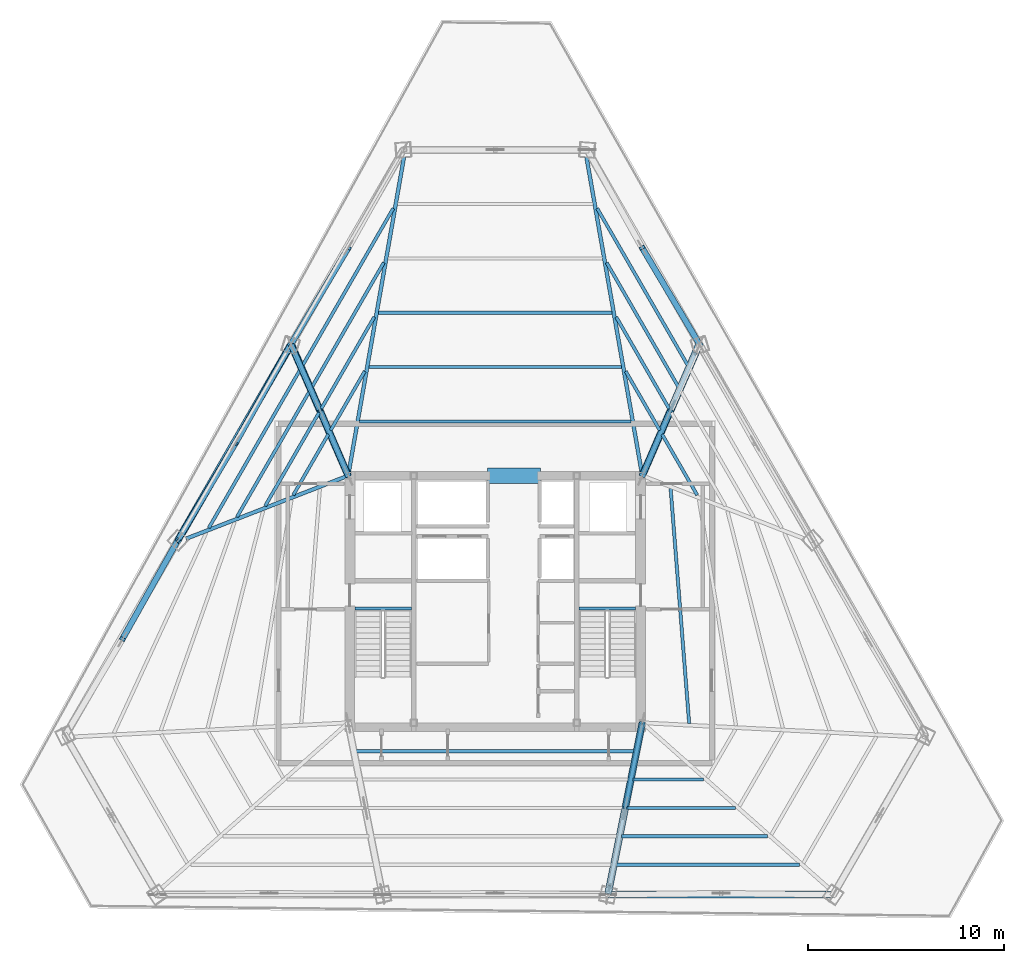
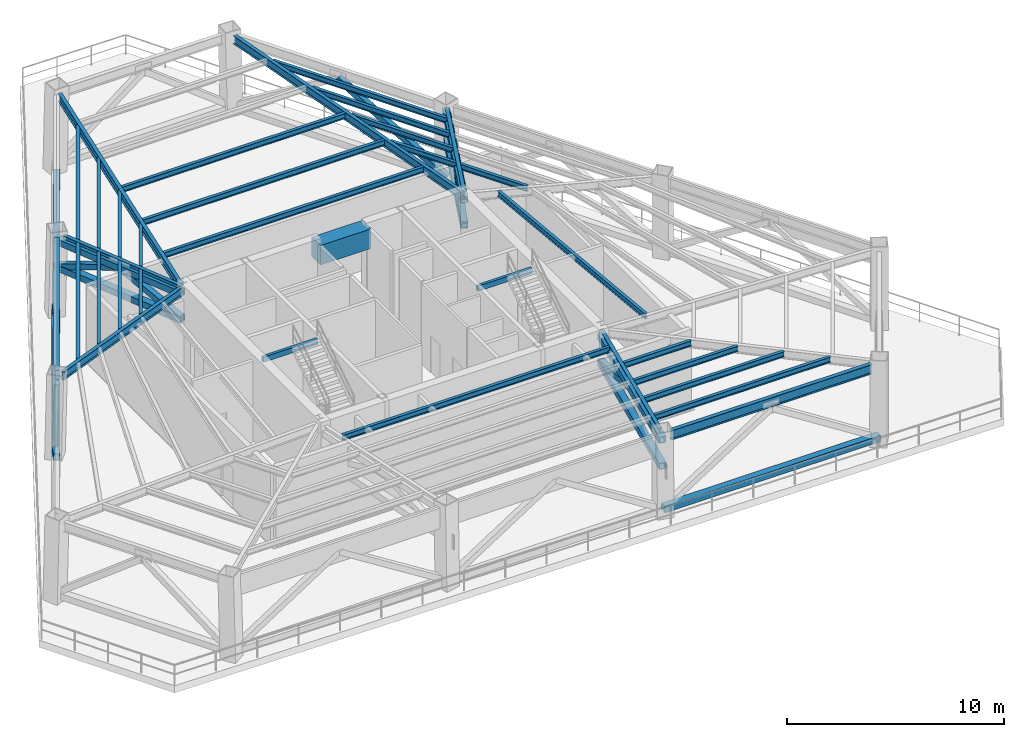
# One storey, part 3 of 10: 33 beams, 18 members.
"""IFC4 building model written with IfcOpenShell, lengths in metres."""

from ifc_helpers import new_model, si_unit, direction, frame, origin, origin_2d, place, context, subcontext, project, spatial, rectangle, hollow_rectangle, i_section, extrude, source, transform, mapped, material, material_profile, profile_set, type_object, type_shapes, element, save


model = new_model("IFC4")

# Units and contexts
model_context = context("Model", 3, precision=1e-05, world=origin(), true_north=direction((0.0, 1.0)))
body_context = subcontext(model_context, "Body", "Model", "MODEL_VIEW")
ifc_project = project(units=[si_unit("LENGTHUNIT", "METRE"), si_unit("AREAUNIT", "SQUARE_METRE"), si_unit("VOLUMEUNIT", "CUBIC_METRE"), si_unit("PLANEANGLEUNIT", "RADIAN"), si_unit("MASSUNIT", "GRAM", prefix="KILO")], contexts=[model_context])

# Site, building, storey
site_placement = place(None, origin())
site = spatial("IfcSite", under=ifc_project, at=site_placement, CompositionType="ELEMENT")
building_placement = place(site_placement, origin())
building = spatial("IfcBuilding", under=site, at=building_placement, Name="Caelisora Broadcast Tower", CompositionType="ELEMENT")
storey_placement = place(building_placement, frame((0.0, 0.0, 220.550048828125)))
storey = spatial("IfcBuildingStorey", under=building, at=storey_placement, Name="L58", CompositionType="ELEMENT", Elevation=220.550048828125)

# Beams
ifc_material_1 = material(Name="Steel Grade 350 (AS/NZS 1163 C350L0)", Category="steel")
ifc_material_profile_1 = material_profile(ifc_material_1, hollow_rectangle(XDim=0.14990234375, YDim=0.300048828125, WallThickness=0.010009765625, at=origin_2d()), Name="Steel Grade 350 (AS/NZS 1163 C350L0)")
ifc_profile_set_1 = profile_set([ifc_material_profile_1], Name="Steel Grade 350 (AS/NZS 1163 C350L0)")
beam_type_1 = type_object("IfcBeamType", Name="SB05", PredefinedType="JOIST", material=ifc_profile_set_1)
shared_shape_1 = source(origin(), body_context, "Body", "SweptSolid", [
    extrude(hollow_rectangle(XDim=0.14990234375, YDim=0.300048828125, WallThickness=0.010009765625, at=origin_2d()), origin(), (0.0, 0.0, 1.0), 2.89990234375),
])
type_shapes(beam_type_1, [shared_shape_1])
for number, where, z_axis, x_axis, name in (
    (1, (30.840087890625, 23.219970703125, 4.39990234375), (1.0, 0.0, 0.0), (0.0, 1.0, 0.0), "L58 beam SB05"),
    (2, (42.260009765625, 23.219970703125, 4.39990234375), (1.0, 0.0, 0.0), (0.0, 1.0, 0.0), "L58 beam SB05"),
):
    element("IfcBeam", number, at=place(storey_placement, frame(where, z_axis=z_axis, x_axis=x_axis)), inside=storey, type_object=beam_type_1, Name=name, PredefinedType="JOIST", context=body_context, shape_type="MappedRepresentation", body=[
        mapped(shared_shape_1, transform((0.0, 0.0, 0.0), scale=1.0)),
    ])
ifc_material_2 = material(Name="Concrete 65 MPa (AS 3600 S65)", Category="concrete")
ifc_material_profile_2 = material_profile(ifc_material_2, rectangle(XDim=0.800048828125, YDim=1.10009765625, at=origin_2d()), Name="Concrete 65 MPa (AS 3600 S65)")
ifc_profile_set_2 = profile_set([ifc_material_profile_2], Name="Concrete 65 MPa (AS 3600 S65)")
beam_type_2 = type_object("IfcBeamType", Name="CB01", PredefinedType="LINTEL", material=ifc_profile_set_2)
shared_shape_2 = source(origin(), body_context, "Body", "SweptSolid", [
    extrude(rectangle(XDim=0.800048828125, YDim=1.10009765625, at=origin_2d()), origin(), (0.0, 0.0, 1.0), 2.699951171875),
])
type_shapes(beam_type_2, [shared_shape_2])
beam_1_placement = place(storey_placement, frame((37.60009765625, 30.0, 4.0), z_axis=(1.0, 0.0, 0.0), x_axis=(0.0, 1.0, 0.0)))
element("IfcBeam", 3, at=beam_1_placement, inside=storey, type_object=beam_type_2, Name="L58 beam CB01", PredefinedType="LINTEL", context=body_context, shape_type="MappedRepresentation", body=[
    mapped(shared_shape_2, transform((0.0, 0.0, 0.0), scale=1.0)),
])

# Member
ifc_material_profile_3 = material_profile(ifc_material_1, hollow_rectangle(XDim=0.199951171875, YDim=0.199951171875, WallThickness=0.009033203125, at=origin_2d()), Name="Steel Grade 350 (AS/NZS 1163 C350L0)")
ifc_profile_set_3 = profile_set([ifc_material_profile_3], Name="Steel Grade 350 (AS/NZS 1163 C350L0)")
member_type_1 = type_object("IfcMemberType", Name="TR14", PredefinedType="POST", material=ifc_profile_set_3)
shared_shape_3 = source(origin(), body_context, "Body", "SweptSolid", [
    extrude(hollow_rectangle(XDim=0.199951171875, YDim=0.199951171875, WallThickness=0.009033203125, at=origin_2d()), origin(), (0.0, 0.0, 1.0), 3.620849609375),
])
type_shapes(member_type_1, [shared_shape_3])
member_1_placement = place(storey_placement, frame((21.8154296875, 26.710205078125, 0.349853515625), z_axis=(0.014901156431, -0.013822339676, 0.999793427895), x_axis=(0.680069277546, 0.733147855305, 0.0)))
element("IfcMember", 4, at=member_1_placement, inside=storey, type_object=member_type_1, Name="L58 transfer post TR14", PredefinedType="POST", context=body_context, shape_type="MappedRepresentation", body=[
    mapped(shared_shape_3, transform((0.0, 0.0, 0.0), scale=1.0)),
])

# Beams
ifc_material_3 = material(Name="Steel Grade 350 (AS/NZS 3679.1)", Category="steel")
ifc_material_profile_4 = material_profile(ifc_material_3, i_section(OverallWidth=0.208984375, OverallDepth=0.532958984375, WebThickness=0.01025390625, FlangeThickness=0.015625, at=origin_2d()), Name="Steel Grade 350 (AS/NZS 3679.1)")
ifc_profile_set_4 = profile_set([ifc_material_profile_4], Name="Steel Grade 350 (AS/NZS 3679.1)")
beam_type_3 = type_object("IfcBeamType", Name="PG05", PredefinedType="BEAM", material=ifc_profile_set_4)
shared_shape_4 = source(origin(), body_context, "Body", "SweptSolid", [
    extrude(i_section(OverallWidth=0.208984375, OverallDepth=0.532958984375, WebThickness=0.01025390625, FlangeThickness=0.015625, at=origin_2d()), origin(), (0.0, 0.0, 1.0), 10.698486328125),
])
type_shapes(beam_type_3, [shared_shape_4])
for number, where, z_axis, x_axis, name in (
    (5, (27.439208984375, 36.274169921875, 4.283447265625), (-0.5000095379, -0.866019897006, 0.0), (0.866019897006, -0.5000095379, 0.0), "L58 beam PG05"),
    (6, (44.18115234375, 8.716796875, 4.283447265625), (1.0, 0.0, 0.0), (0.0, 1.0, 0.0), "L58 beam PG05"),
):
    element("IfcBeam", number, at=place(storey_placement, frame(where, z_axis=z_axis, x_axis=x_axis)), inside=storey, type_object=beam_type_3, Name=name, PredefinedType="BEAM", context=body_context, shape_type="MappedRepresentation", body=[
        mapped(shared_shape_4, transform((0.0, 0.0, 0.0), scale=1.0)),
    ])
ifc_material_profile_5 = material_profile(ifc_material_3, i_section(OverallWidth=0.19091796875, OverallDepth=0.46044921875, WebThickness=0.010009765625, FlangeThickness=0.01611328125, at=origin_2d()), Name="Steel Grade 350 (AS/NZS 3679.1)")
ifc_profile_set_5 = profile_set([ifc_material_profile_5], Name="Steel Grade 350 (AS/NZS 3679.1)")
beam_type_4 = type_object("IfcBeamType", Name="PG06", PredefinedType="BEAM", material=ifc_profile_set_5)
shared_shape_5 = source(origin(), body_context, "Body", "SweptSolid", [
    extrude(i_section(OverallWidth=0.19091796875, OverallDepth=0.46044921875, WebThickness=0.010009765625, FlangeThickness=0.01611328125, at=origin_2d()), origin(), (0.0, 0.0, 1.0), 16.43701171875),
])
for number, where, z_axis, x_axis, name in (
    (7, (45.489501953125, 30.05908203125, 4.31982421875), (-0.172592179316, 0.984993370353, 0.0), (-0.984993370353, -0.172592179316, 0.0), "L58 beam PG06"),
    (8, (30.510498046875, 30.05908203125, 4.31982421875), (0.172592179316, 0.984993370353, 0.0), (-0.984993370353, 0.172592179316, 0.0), "L58 beam PG06"),
):
    element("IfcBeam", number, at=place(storey_placement, frame(where, z_axis=z_axis, x_axis=x_axis)), inside=storey, type_object=beam_type_4, Name=name, PredefinedType="BEAM", context=body_context, shape_type="MappedRepresentation", body=[
        mapped(shared_shape_5, transform((0.0, 0.0, 0.0), scale=1.0)),
    ])
shared_shape_6 = source(origin(), body_context, "Body", "SweptSolid", [
    extrude(i_section(OverallWidth=0.19091796875, OverallDepth=0.46044921875, WebThickness=0.010009765625, FlangeThickness=0.01611328125, at=origin_2d()), origin(), (0.0, 0.0, 1.0), 6.785888671875),
])
for number, where, z_axis, x_axis, name in (
    (9, (30.476318359375, 30.05517578125, 4.31982421875), (-0.395039288876, 0.918664226061, 0.0), (-0.918664226061, -0.395039288876, 0.0), "L58 beam PG06"),
    (10, (45.523681640625, 30.05517578125, 4.31982421875), (0.395039288876, 0.918664226061, 0.0), (-0.918664226061, 0.395039288876, 0.0), "L58 beam PG06"),
):
    element("IfcBeam", number, at=place(storey_placement, frame(where, z_axis=z_axis, x_axis=x_axis)), inside=storey, type_object=beam_type_4, Name=name, PredefinedType="BEAM", context=body_context, shape_type="MappedRepresentation", body=[
        mapped(shared_shape_6, transform((0.0, 0.0, 0.0), scale=1.0)),
    ])
shared_shape_7 = source(origin(), body_context, "Body", "SweptSolid", [
    extrude(i_section(OverallWidth=0.19091796875, OverallDepth=0.46044921875, WebThickness=0.010009765625, FlangeThickness=0.01611328125, at=origin_2d()), origin(), (0.0, 0.0, 1.0), 8.81103515625),
])
beam_2_placement = place(storey_placement, frame((30.444091796875, 29.978271484375, 4.31982421875), z_axis=(-0.932010911439, -0.362430215294, 0.0), x_axis=(0.362430215294, -0.932010911439, 0.0)))
element("IfcBeam", 11, at=beam_2_placement, inside=storey, type_object=beam_type_4, Name="L58 beam PG06", PredefinedType="BEAM", context=body_context, shape_type="MappedRepresentation", body=[
    mapped(shared_shape_7, transform((0.0, 0.0, 0.0), scale=1.0)),
])
shared_shape_8 = source(origin(), body_context, "Body", "SweptSolid", [
    extrude(i_section(OverallWidth=0.19091796875, OverallDepth=0.46044921875, WebThickness=0.010009765625, FlangeThickness=0.01611328125, at=origin_2d()), origin(), (0.0, 0.0, 1.0), 8.418701171875),
])
type_shapes(beam_type_4, [shared_shape_5, shared_shape_6, shared_shape_7, shared_shape_8])
beam_3_placement = place(storey_placement, frame((45.48828125, 17.34130859375, 4.31982421875), z_axis=(-0.195920941992, -0.980619694116, 0.0), x_axis=(0.980619694116, -0.195920941992, 0.0)))
element("IfcBeam", 12, at=beam_3_placement, inside=storey, type_object=beam_type_4, Name="L58 beam PG06", PredefinedType="BEAM", context=body_context, shape_type="MappedRepresentation", body=[
    mapped(shared_shape_8, transform((0.0, 0.0, 0.0), scale=1.0)),
])
ifc_material_profile_6 = material_profile(ifc_material_3, i_section(OverallWidth=0.166015625, OverallDepth=0.30712890625, WebThickness=0.006591796875, FlangeThickness=0.01171875, at=origin_2d()), Name="Steel Grade 350 (AS/NZS 3679.1)")
ifc_profile_set_6 = profile_set([ifc_material_profile_6], Name="Steel Grade 350 (AS/NZS 3679.1)")
beam_type_5 = type_object("IfcBeamType", Name="SB03", PredefinedType="JOIST", material=ifc_profile_set_6)
shared_shape_9 = source(origin(), body_context, "Body", "SweptSolid", [
    extrude(i_section(OverallWidth=0.166015625, OverallDepth=0.30712890625, WebThickness=0.006591796875, FlangeThickness=0.01171875, at=origin_2d()), origin(), (0.0, 0.0, 1.0), 13.84130859375),
])
beam_4_placement = place(storey_placement, frame((44.920654296875, 32.77001953125, 4.396240234375), z_axis=(-1.0, 0.0, 0.0), x_axis=(0.0, -1.0, 0.0)))
element("IfcBeam", 13, at=beam_4_placement, inside=storey, type_object=beam_type_5, Name="L58 beam SB03", PredefinedType="JOIST", context=body_context, shape_type="MappedRepresentation", body=[
    mapped(shared_shape_9, transform((0.0, 0.0, 0.0), scale=1.0)),
])
shared_shape_10 = source(origin(), body_context, "Body", "SweptSolid", [
    extrude(i_section(OverallWidth=0.166015625, OverallDepth=0.30712890625, WebThickness=0.006591796875, FlangeThickness=0.01171875, at=origin_2d()), origin(), (0.0, 0.0, 1.0), 12.87060546875),
])
beam_5_placement = place(storey_placement, frame((44.435302734375, 35.5400390625, 4.396240234375), z_axis=(-1.0, 0.0, 0.0), x_axis=(0.0, -1.0, 0.0)))
element("IfcBeam", 14, at=beam_5_placement, inside=storey, type_object=beam_type_5, Name="L58 beam SB03", PredefinedType="JOIST", context=body_context, shape_type="MappedRepresentation", body=[
    mapped(shared_shape_10, transform((0.0, 0.0, 0.0), scale=1.0)),
])
shared_shape_11 = source(origin(), body_context, "Body", "SweptSolid", [
    extrude(i_section(OverallWidth=0.166015625, OverallDepth=0.30712890625, WebThickness=0.006591796875, FlangeThickness=0.01171875, at=origin_2d()), origin(), (0.0, 0.0, 1.0), 11.8994140625),
])
beam_6_placement = place(storey_placement, frame((43.94970703125, 38.31005859375, 4.396240234375), z_axis=(-1.0, 0.0, 0.0), x_axis=(0.0, -1.0, 0.0)))
element("IfcBeam", 15, at=beam_6_placement, inside=storey, type_object=beam_type_5, Name="L58 beam SB03", PredefinedType="JOIST", context=body_context, shape_type="MappedRepresentation", body=[
    mapped(shared_shape_11, transform((0.0, 0.0, 0.0), scale=1.0)),
])
shared_shape_12 = source(origin(), body_context, "Body", "SweptSolid", [
    extrude(i_section(OverallWidth=0.166015625, OverallDepth=0.30712890625, WebThickness=0.006591796875, FlangeThickness=0.01171875, at=origin_2d()), origin(), (0.0, 0.0, 1.0), 3.47900390625),
])
for number, where, z_axis, x_axis, name in (
    (16, (31.3466796875, 35.324951171875, 4.396240234375), (-0.499995806763, -0.866027824738, 0.0), (0.866027824738, -0.499995806763, 0.0), "L58 beam SB03"),
    (17, (46.392822265625, 32.31201171875, 4.396240234375), (-0.499995806763, 0.866027824738, 0.0), (-0.866027824738, -0.499995806763, 0.0), "L58 beam SB03"),
):
    element("IfcBeam", number, at=place(storey_placement, frame(where, z_axis=z_axis, x_axis=x_axis)), inside=storey, type_object=beam_type_5, Name=name, PredefinedType="JOIST", context=body_context, shape_type="MappedRepresentation", body=[
        mapped(shared_shape_12, transform((0.0, 0.0, 0.0), scale=1.0)),
    ])
shared_shape_13 = source(origin(), body_context, "Body", "SweptSolid", [
    extrude(i_section(OverallWidth=0.166015625, OverallDepth=0.30712890625, WebThickness=0.006591796875, FlangeThickness=0.01171875, at=origin_2d()), origin(), (0.0, 0.0, 1.0), 5.40087890625),
])
for number, where, z_axis, x_axis, name in (
    (18, (31.83203125, 38.094970703125, 4.396240234375), (-0.500004188491, -0.866022985545, 0.0), (0.866022985545, -0.500004188491, 0.0), "L58 beam SB03"),
    (19, (46.868408203125, 33.417724609375, 4.396240234375), (-0.500004188491, 0.866022985545, 0.0), (-0.866022985545, -0.500004188491, 0.0), "L58 beam SB03"),
):
    element("IfcBeam", number, at=place(storey_placement, frame(where, z_axis=z_axis, x_axis=x_axis)), inside=storey, type_object=beam_type_5, Name=name, PredefinedType="JOIST", context=body_context, shape_type="MappedRepresentation", body=[
        mapped(shared_shape_13, transform((0.0, 0.0, 0.0), scale=1.0)),
    ])
shared_shape_14 = source(origin(), body_context, "Body", "SweptSolid", [
    extrude(i_section(OverallWidth=0.166015625, OverallDepth=0.30712890625, WebThickness=0.006591796875, FlangeThickness=0.01171875, at=origin_2d()), origin(), (0.0, 0.0, 1.0), 7.322265625),
])
for number, where, z_axis, x_axis, name in (
    (20, (32.3173828125, 40.864990234375, 4.396240234375), (-0.499997602072, -0.866026788224, 0.0), (0.866026788224, -0.499997602072, 0.0), "L58 beam SB03"),
    (21, (47.34375, 34.523681640625, 4.396240234375), (-0.499997602072, 0.866026788224, 0.0), (-0.866026788224, -0.499997602072, 0.0), "L58 beam SB03"),
):
    element("IfcBeam", number, at=place(storey_placement, frame(where, z_axis=z_axis, x_axis=x_axis)), inside=storey, type_object=beam_type_5, Name=name, PredefinedType="JOIST", context=body_context, shape_type="MappedRepresentation", body=[
        mapped(shared_shape_14, transform((0.0, 0.0, 0.0), scale=1.0)),
    ])
shared_shape_15 = source(origin(), body_context, "Body", "SweptSolid", [
    extrude(i_section(OverallWidth=0.166015625, OverallDepth=0.30712890625, WebThickness=0.006591796875, FlangeThickness=0.01171875, at=origin_2d()), origin(), (0.0, 0.0, 1.0), 9.244140625),
])
for number, where, z_axis, x_axis, name in (
    (22, (32.802734375, 43.635009765625, 4.396240234375), (-0.500002125833, -0.866024176431, 0.0), (0.866024176431, -0.500002125833, 0.0), "L58 beam SB03"),
    (23, (47.8193359375, 35.62939453125, 4.396240234375), (-0.500002125833, 0.866024176431, 0.0), (-0.866024176431, -0.500002125833, 0.0), "L58 beam SB03"),
):
    element("IfcBeam", number, at=place(storey_placement, frame(where, z_axis=z_axis, x_axis=x_axis)), inside=storey, type_object=beam_type_5, Name=name, PredefinedType="JOIST", context=body_context, shape_type="MappedRepresentation", body=[
        mapped(shared_shape_15, transform((0.0, 0.0, 0.0), scale=1.0)),
    ])
shared_shape_16 = source(origin(), body_context, "Body", "SweptSolid", [
    extrude(i_section(OverallWidth=0.166015625, OverallDepth=0.30712890625, WebThickness=0.006591796875, FlangeThickness=0.01171875, at=origin_2d()), origin(), (0.0, 0.0, 1.0), 3.57763671875),
])
for number, where, z_axis, x_axis, name in (
    (24, (29.490966796875, 32.11083984375, 4.396240234375), (-0.499992207027, -0.866029903013, 0.0), (0.866029903013, -0.499992207027, 0.0), "L58 beam SB03"),
    (25, (48.2978515625, 29.012451171875, 4.396240234375), (-0.499992207027, 0.866029903013, 0.0), (-0.866029903013, -0.499992207027, 0.0), "L58 beam SB03"),
):
    element("IfcBeam", number, at=place(storey_placement, frame(where, z_axis=z_axis, x_axis=x_axis)), inside=storey, type_object=beam_type_5, Name=name, PredefinedType="JOIST", context=body_context, shape_type="MappedRepresentation", body=[
        mapped(shared_shape_16, transform((0.0, 0.0, 0.0), scale=1.0)),
    ])
shared_shape_17 = source(origin(), body_context, "Body", "SweptSolid", [
    extrude(i_section(OverallWidth=0.166015625, OverallDepth=0.30712890625, WebThickness=0.006591796875, FlangeThickness=0.01171875, at=origin_2d()), origin(), (0.0, 0.0, 1.0), 5.49951171875),
])
beam_7_placement = place(storey_placement, frame((29.015380859375, 33.216552734375, 4.396240234375), z_axis=(-0.500001696333, -0.866024424404, 0.0), x_axis=(0.866024424404, -0.500001696333, 0.0)))
element("IfcBeam", 26, at=beam_7_placement, inside=storey, type_object=beam_type_5, Name="L58 beam SB03", PredefinedType="JOIST", context=body_context, shape_type="MappedRepresentation", body=[
    mapped(shared_shape_17, transform((0.0, 0.0, 0.0), scale=1.0)),
])
shared_shape_18 = source(origin(), body_context, "Body", "SweptSolid", [
    extrude(i_section(OverallWidth=0.166015625, OverallDepth=0.30712890625, WebThickness=0.006591796875, FlangeThickness=0.01171875, at=origin_2d()), origin(), (0.0, 0.0, 1.0), 7.421142578125),
])
beam_8_placement = place(storey_placement, frame((28.5400390625, 34.322265625, 4.396240234375), z_axis=(-0.500020516373, -0.866013558327, 0.0), x_axis=(0.866013558327, -0.500020516373, 0.0)))
element("IfcBeam", 27, at=beam_8_placement, inside=storey, type_object=beam_type_5, Name="L58 beam SB03", PredefinedType="JOIST", context=body_context, shape_type="MappedRepresentation", body=[
    mapped(shared_shape_18, transform((0.0, 0.0, 0.0), scale=1.0)),
])
shared_shape_19 = source(origin(), body_context, "Body", "SweptSolid", [
    extrude(i_section(OverallWidth=0.166015625, OverallDepth=0.30712890625, WebThickness=0.006591796875, FlangeThickness=0.01171875, at=origin_2d()), origin(), (0.0, 0.0, 1.0), 9.3427734375),
])
beam_9_placement = place(storey_placement, frame((28.064453125, 35.427978515625, 4.396240234375), z_axis=(-0.500000680637, -0.866025010818, 0.0), x_axis=(0.866025010818, -0.500000680637, 0.0)))
element("IfcBeam", 28, at=beam_9_placement, inside=storey, type_object=beam_type_5, Name="L58 beam SB03", PredefinedType="JOIST", context=body_context, shape_type="MappedRepresentation", body=[
    mapped(shared_shape_19, transform((0.0, 0.0, 0.0), scale=1.0)),
])
shared_shape_20 = source(origin(), body_context, "Body", "SweptSolid", [
    extrude(i_section(OverallWidth=0.166015625, OverallDepth=0.30712890625, WebThickness=0.006591796875, FlangeThickness=0.01171875, at=origin_2d()), origin(), (0.0, 0.0, 1.0), 12.006103515625),
])
beam_10_placement = place(storey_placement, frame((47.889892578125, 17.3701171875, 4.396240234375), z_axis=(-0.078736521399, 0.996895461018, 0.0), x_axis=(-0.996895461018, -0.078736521399, 0.0)))
element("IfcBeam", 29, at=beam_10_placement, inside=storey, type_object=beam_type_5, Name="L58 beam SB03", PredefinedType="JOIST", context=body_context, shape_type="MappedRepresentation", body=[
    mapped(shared_shape_20, transform((0.0, 0.0, 0.0), scale=1.0)),
])
shared_shape_21 = source(origin(), body_context, "Body", "SweptSolid", [
    extrude(i_section(OverallWidth=0.166015625, OverallDepth=0.30712890625, WebThickness=0.006591796875, FlangeThickness=0.01171875, at=origin_2d()), origin(), (0.0, 0.0, 1.0), 3.608154296875),
])
beam_11_placement = place(storey_placement, frame((45.01611328125, 14.505615234375, 4.396240234375), z_axis=(1.0, 0.0, 0.0), x_axis=(0.0, 1.0, 0.0)))
element("IfcBeam", 30, at=beam_11_placement, inside=storey, type_object=beam_type_5, Name="L58 beam SB03", PredefinedType="JOIST", context=body_context, shape_type="MappedRepresentation", body=[
    mapped(shared_shape_21, transform((0.0, 0.0, 0.0), scale=1.0)),
])
shared_shape_22 = source(origin(), body_context, "Body", "SweptSolid", [
    extrude(i_section(OverallWidth=0.166015625, OverallDepth=0.30712890625, WebThickness=0.006591796875, FlangeThickness=0.01171875, at=origin_2d()), origin(), (0.0, 0.0, 1.0), 5.52978515625),
])
beam_12_placement = place(storey_placement, frame((44.72705078125, 13.05859375, 4.396240234375), z_axis=(1.0, 0.0, 0.0), x_axis=(0.0, 1.0, 0.0)))
element("IfcBeam", 31, at=beam_12_placement, inside=storey, type_object=beam_type_5, Name="L58 beam SB03", PredefinedType="JOIST", context=body_context, shape_type="MappedRepresentation", body=[
    mapped(shared_shape_22, transform((0.0, 0.0, 0.0), scale=1.0)),
])
shared_shape_23 = source(origin(), body_context, "Body", "SweptSolid", [
    extrude(i_section(OverallWidth=0.166015625, OverallDepth=0.30712890625, WebThickness=0.006591796875, FlangeThickness=0.01171875, at=origin_2d()), origin(), (0.0, 0.0, 1.0), 7.451416015625),
])
beam_13_placement = place(storey_placement, frame((44.43798828125, 11.611328125, 4.396240234375), z_axis=(1.0, 0.0, 0.0), x_axis=(0.0, 1.0, 0.0)))
element("IfcBeam", 32, at=beam_13_placement, inside=storey, type_object=beam_type_5, Name="L58 beam SB03", PredefinedType="JOIST", context=body_context, shape_type="MappedRepresentation", body=[
    mapped(shared_shape_23, transform((0.0, 0.0, 0.0), scale=1.0)),
])
shared_shape_24 = source(origin(), body_context, "Body", "SweptSolid", [
    extrude(i_section(OverallWidth=0.166015625, OverallDepth=0.30712890625, WebThickness=0.006591796875, FlangeThickness=0.01171875, at=origin_2d()), origin(), (0.0, 0.0, 1.0), 9.37353515625),
])
beam_14_placement = place(storey_placement, frame((44.148681640625, 10.1640625, 4.396240234375), z_axis=(1.0, 0.0, 0.0), x_axis=(0.0, 1.0, 0.0)))
element("IfcBeam", 33, at=beam_14_placement, inside=storey, type_object=beam_type_5, Name="L58 beam SB03", PredefinedType="JOIST", context=body_context, shape_type="MappedRepresentation", body=[
    mapped(shared_shape_24, transform((0.0, 0.0, 0.0), scale=1.0)),
])
shared_shape_25 = source(origin(), body_context, "Body", "SweptSolid", [
    extrude(i_section(OverallWidth=0.166015625, OverallDepth=0.30712890625, WebThickness=0.006591796875, FlangeThickness=0.01171875, at=origin_2d()), origin(), (0.0, 0.0, 1.0), 14.23291015625),
])
type_shapes(beam_type_5, [shared_shape_9, shared_shape_10, shared_shape_11, shared_shape_12, shared_shape_13, shared_shape_14, shared_shape_15, shared_shape_16, shared_shape_17, shared_shape_18, shared_shape_19, shared_shape_20, shared_shape_21, shared_shape_22, shared_shape_23, shared_shape_24, shared_shape_25])
beam_15_placement = place(storey_placement, frame((30.883544921875, 15.952880859375, 4.396240234375), z_axis=(1.0, 0.0, 0.0), x_axis=(0.0, 1.0, 0.0)))
element("IfcBeam", 34, at=beam_15_placement, inside=storey, type_object=beam_type_5, Name="L58 beam SB03", PredefinedType="JOIST", context=body_context, shape_type="MappedRepresentation", body=[
    mapped(shared_shape_25, transform((0.0, 0.0, 0.0), scale=1.0)),
])

# Members
ifc_material_profile_7 = material_profile(ifc_material_1, hollow_rectangle(XDim=0.35009765625, YDim=0.35009765625, WallThickness=0.01611328125, at=origin_2d()), Name="Steel Grade 350 (AS/NZS 1163 C350L0)")
ifc_profile_set_7 = profile_set([ifc_material_profile_7], Name="Steel Grade 350 (AS/NZS 1163 C350L0)")
member_type_2 = type_object("IfcMemberType", Name="OR05", PredefinedType="CHORD", material=ifc_profile_set_7)
shared_shape_26 = source(origin(), body_context, "Body", "SweptSolid", [
    extrude(hollow_rectangle(XDim=0.35009765625, YDim=0.35009765625, WallThickness=0.01611328125, at=origin_2d()), origin(), (0.0, 0.0, 1.0), 8.897705078125),
])
member_2_placement = place(storey_placement, frame((45.5, 17.39990234375, 2.679931640625), z_axis=(-0.196047538599, -0.980594392504, 0.0), x_axis=(0.980594392504, -0.196047538599, 0.0)))
element("IfcMember", 35, at=member_2_placement, inside=storey, type_object=member_type_2, Name="L58 outrigger chord OR05", PredefinedType="CHORD", context=body_context, shape_type="MappedRepresentation", body=[
    mapped(shared_shape_26, transform((0.0, 0.0, 0.0), scale=1.0)),
])
shared_shape_27 = source(origin(), body_context, "Body", "SweptSolid", [
    extrude(hollow_rectangle(XDim=0.35009765625, YDim=0.35009765625, WallThickness=0.01611328125, at=origin_2d()), origin(), (0.0, 0.0, 1.0), 8.8681640625),
])
member_3_placement = place(storey_placement, frame((45.5, 17.39990234375, 4.1298828125), z_axis=(-0.195957306642, -0.980612428013, 0.0), x_axis=(0.980612428013, -0.195957306642, 0.0)))
element("IfcMember", 36, at=member_3_placement, inside=storey, type_object=member_type_2, Name="L58 outrigger chord OR05", PredefinedType="CHORD", context=body_context, shape_type="MappedRepresentation", body=[
    mapped(shared_shape_27, transform((0.0, 0.0, 0.0), scale=1.0)),
])
ifc_material_profile_8 = material_profile(ifc_material_1, hollow_rectangle(XDim=0.300048828125, YDim=0.300048828125, WallThickness=0.012451171875, at=origin_2d()), Name="Steel Grade 350 (AS/NZS 1163 C350L0)")
ifc_profile_set_8 = profile_set([ifc_material_profile_8], Name="Steel Grade 350 (AS/NZS 1163 C350L0)")
member_type_3 = type_object("IfcMemberType", Name="OR06", PredefinedType="STRUT", material=ifc_profile_set_8)
shared_shape_28 = source(origin(), body_context, "Body", "SweptSolid", [
    extrude(hollow_rectangle(XDim=0.300048828125, YDim=0.300048828125, WallThickness=0.012451171875, at=origin_2d()), origin(), (0.0, 0.0, 1.0), 4.6650390625),
])
member_4_placement = place(storey_placement, frame((45.5, 17.39990234375, 2.679931640625), z_axis=(-0.186252311369, -0.932046548321, 0.310804292559), x_axis=(0.980612428013, -0.195957306642, 0.0)))
element("IfcMember", 37, at=member_4_placement, inside=storey, type_object=member_type_3, Name="L58 outrigger diagonal OR06", PredefinedType="STRUT", context=body_context, shape_type="MappedRepresentation", body=[
    mapped(shared_shape_28, transform((0.0, 0.0, 0.0), scale=1.0)),
])
shared_shape_29 = source(origin(), body_context, "Body", "SweptSolid", [
    extrude(hollow_rectangle(XDim=0.35009765625, YDim=0.35009765625, WallThickness=0.01611328125, at=origin_2d()), origin(), (0.0, 0.0, 1.0), 7.25),
])
for number, where, z_axis, x_axis, name in (
    (38, (45.5, 30.0, 2.679931640625), (0.399184128113, 0.916870782533, 0.0), (-0.916870782533, 0.399184128113, 0.0), "L58 outrigger chord OR05"),
    (39, (30.5, 30.0, 2.679931640625), (-0.399184128113, 0.916870782533, 0.0), (-0.916870782533, -0.399184128113, 0.0), "L58 outrigger chord OR05"),
):
    element("IfcMember", number, at=place(storey_placement, frame(where, z_axis=z_axis, x_axis=x_axis)), inside=storey, type_object=member_type_2, Name=name, PredefinedType="CHORD", context=body_context, shape_type="MappedRepresentation", body=[
        mapped(shared_shape_29, transform((0.0, 0.0, 0.0), scale=1.0)),
    ])
shared_shape_30 = source(origin(), body_context, "Body", "SweptSolid", [
    extrude(hollow_rectangle(XDim=0.35009765625, YDim=0.35009765625, WallThickness=0.01611328125, at=origin_2d()), origin(), (0.0, 0.0, 1.0), 7.230712890625),
])
for number, where, z_axis, x_axis, name in (
    (40, (45.5, 30.0, 4.1298828125), (0.396362929404, 0.918093910335, 0.0), (-0.918093910335, 0.396362929404, 0.0), "L58 outrigger chord OR05"),
    (41, (30.5, 30.0, 4.1298828125), (-0.396362929404, 0.918093910335, 0.0), (-0.918093910335, -0.396362929404, 0.0), "L58 outrigger chord OR05"),
):
    element("IfcMember", number, at=place(storey_placement, frame(where, z_axis=z_axis, x_axis=x_axis)), inside=storey, type_object=member_type_2, Name=name, PredefinedType="CHORD", context=body_context, shape_type="MappedRepresentation", body=[
        mapped(shared_shape_30, transform((0.0, 0.0, 0.0), scale=1.0)),
    ])
shared_shape_31 = source(origin(), body_context, "Body", "SweptSolid", [
    extrude(hollow_rectangle(XDim=0.300048828125, YDim=0.300048828125, WallThickness=0.012451171875, at=origin_2d()), origin(), (0.0, 0.0, 1.0), 3.895263671875),
])
member_5_placement = place(storey_placement, frame((45.5, 30.0, 2.679931640625), z_axis=(0.367916523922, 0.852099683597, 0.372241266707), x_axis=(-0.918076317685, 0.396403676706, 0.0)))
element("IfcMember", 42, at=member_5_placement, inside=storey, type_object=member_type_3, Name="L58 outrigger diagonal OR06", PredefinedType="STRUT", context=body_context, shape_type="MappedRepresentation", body=[
    mapped(shared_shape_31, transform((0.0, 0.0, 0.0), scale=1.0)),
])
shared_shape_32 = source(origin(), body_context, "Body", "SweptSolid", [
    extrude(hollow_rectangle(XDim=0.300048828125, YDim=0.300048828125, WallThickness=0.012451171875, at=origin_2d()), origin(), (0.0, 0.0, 1.0), 3.89501953125),
])
member_6_placement = place(storey_placement, frame((30.5, 30.0, 2.679931640625), z_axis=(-0.367862328794, 0.852119332075, 0.37224985018), x_axis=(-0.918100892852, -0.396346755436, 0.0)))
element("IfcMember", 43, at=member_6_placement, inside=storey, type_object=member_type_3, Name="L58 outrigger diagonal OR06", PredefinedType="STRUT", context=body_context, shape_type="MappedRepresentation", body=[
    mapped(shared_shape_32, transform((0.0, 0.0, 0.0), scale=1.0)),
])
shared_shape_33 = source(origin(), body_context, "Body", "SweptSolid", [
    extrude(hollow_rectangle(XDim=0.300048828125, YDim=0.300048828125, WallThickness=0.012451171875, at=origin_2d()), origin(), (0.0, 0.0, 1.0), 3.913330078125),
])
member_7_placement = place(storey_placement, frame((29.067138671875, 33.319091796875, 4.1298828125), z_axis=(-0.37338971382, 0.850467598795, -0.370519884774), x_axis=(-0.915638603041, -0.40200242365, 0.0)))
element("IfcMember", 44, at=member_7_placement, inside=storey, type_object=member_type_3, Name="L58 outrigger diagonal OR06", PredefinedType="STRUT", context=body_context, shape_type="MappedRepresentation", body=[
    mapped(shared_shape_33, transform((0.0, 0.0, 0.0), scale=1.0)),
])
shared_shape_34 = source(origin(), body_context, "Body", "SweptSolid", [
    extrude(hollow_rectangle(XDim=0.35009765625, YDim=0.35009765625, WallThickness=0.01611328125, at=origin_2d()), origin(), (0.0, 0.0, 1.0), 11.490478515625),
])
type_shapes(member_type_2, [shared_shape_26, shared_shape_27, shared_shape_29, shared_shape_30, shared_shape_34])
for number, where, z_axis, x_axis, name in (
    (45, (27.560791015625, 36.6611328125, 0.349853515625), (-0.500012435637, -0.866018223947, 0.0), (0.866018223947, -0.500012435637, 0.0), "L58 belt chord OR05"),
    (46, (43.7451171875, 8.62890625, 0.349853515625), (1.0, 0.0, 0.0), (0.0, 1.0, 0.0), "L58 belt chord OR05"),
):
    element("IfcMember", number, at=place(storey_placement, frame(where, z_axis=z_axis, x_axis=x_axis)), inside=storey, type_object=member_type_2, Name=name, PredefinedType="CHORD", context=body_context, shape_type="MappedRepresentation", body=[
        mapped(shared_shape_34, transform((0.0, 0.0, 0.0), scale=1.0)),
    ])
shared_shape_35 = source(origin(), body_context, "Body", "SweptSolid", [
    extrude(hollow_rectangle(XDim=0.300048828125, YDim=0.300048828125, WallThickness=0.012451171875, at=origin_2d()), origin(), (0.0, 0.0, 1.0), 6.818603515625),
])
for number, where, z_axis, x_axis, name in (
    (47, (27.560791015625, 36.6611328125, 0.349853515625), (0.432782288284, 0.728572350625, 0.53092543813), (-0.859755029716, 0.510706656388, 0.0), "L58 belt diagonal OR06"),
    (48, (21.8154296875, 26.710205078125, 0.349853515625), (-0.414555756347, -0.739096555754, 0.530923540777), (0.872172941146, -0.489197670409, 0.0), "L58 belt diagonal OR06"),
    (49, (48.439208984375, 36.6611328125, 0.349853515625), (-0.432782288284, 0.728572350625, 0.53092543813), (-0.859755029716, -0.510706656388, 0.0), "L58 belt diagonal OR06"),
):
    element("IfcMember", number, at=place(storey_placement, frame(where, z_axis=z_axis, x_axis=x_axis)), inside=storey, type_object=member_type_3, Name=name, PredefinedType="STRUT", context=body_context, shape_type="MappedRepresentation", body=[
        mapped(shared_shape_35, transform((0.0, 0.0, 0.0), scale=1.0)),
    ])
shared_shape_36 = source(origin(), body_context, "Body", "SweptSolid", [
    extrude(hollow_rectangle(XDim=0.300048828125, YDim=0.300048828125, WallThickness=0.012451171875, at=origin_2d()), origin(), (0.0, 0.0, 1.0), 6.791015625),
])
type_shapes(member_type_3, [shared_shape_28, shared_shape_31, shared_shape_32, shared_shape_33, shared_shape_35, shared_shape_36])
for number, where, z_axis, x_axis, name in (
    (50, (27.560791015625, 36.6611328125, 0.349853515625), (-0.413867192719, -0.737928943515, 0.533080501532), (0.872189912853, -0.489167410931, 0.0), "L58 belt diagonal OR06"),
    (51, (21.8154296875, 26.710205078125, 0.349853515625), (0.432156191287, 0.727378439258, 0.533068131138), (-0.859711898902, 0.510779258474, 0.0), "L58 belt diagonal OR06"),
):
    element("IfcMember", number, at=place(storey_placement, frame(where, z_axis=z_axis, x_axis=x_axis)), inside=storey, type_object=member_type_3, Name=name, PredefinedType="STRUT", context=body_context, shape_type="MappedRepresentation", body=[
        mapped(shared_shape_36, transform((0.0, 0.0, 0.0), scale=1.0)),
    ])

save(model, "model.ifc")
